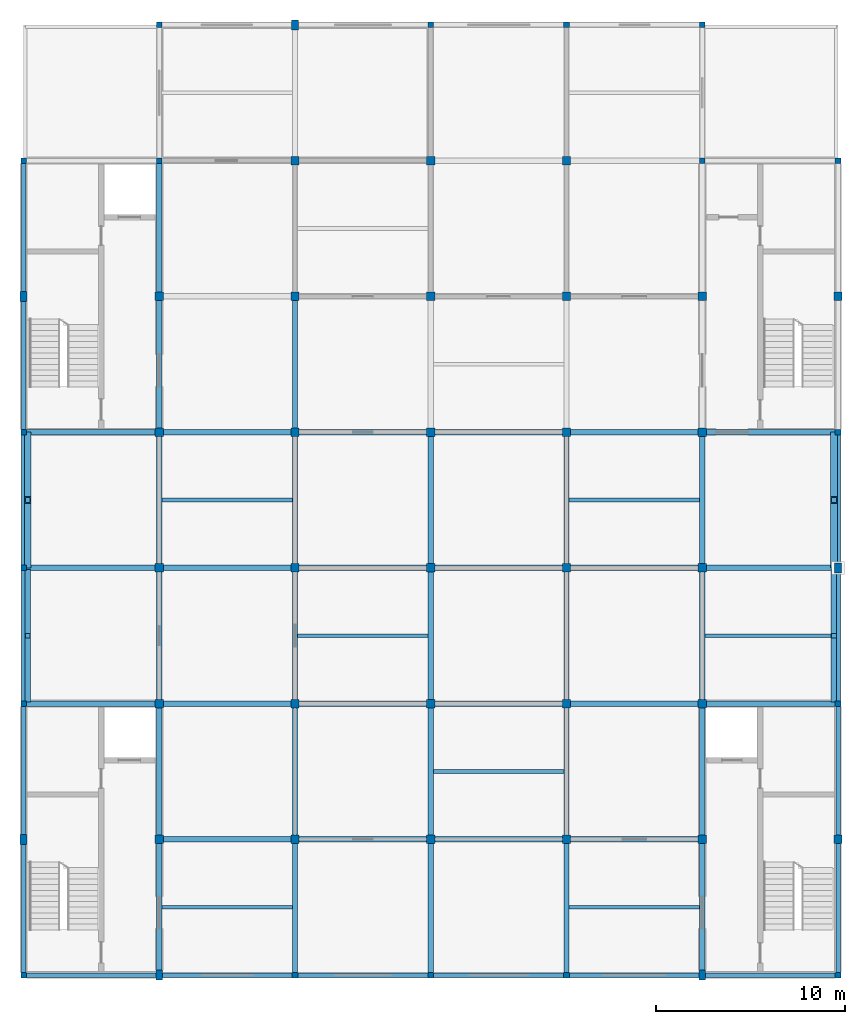
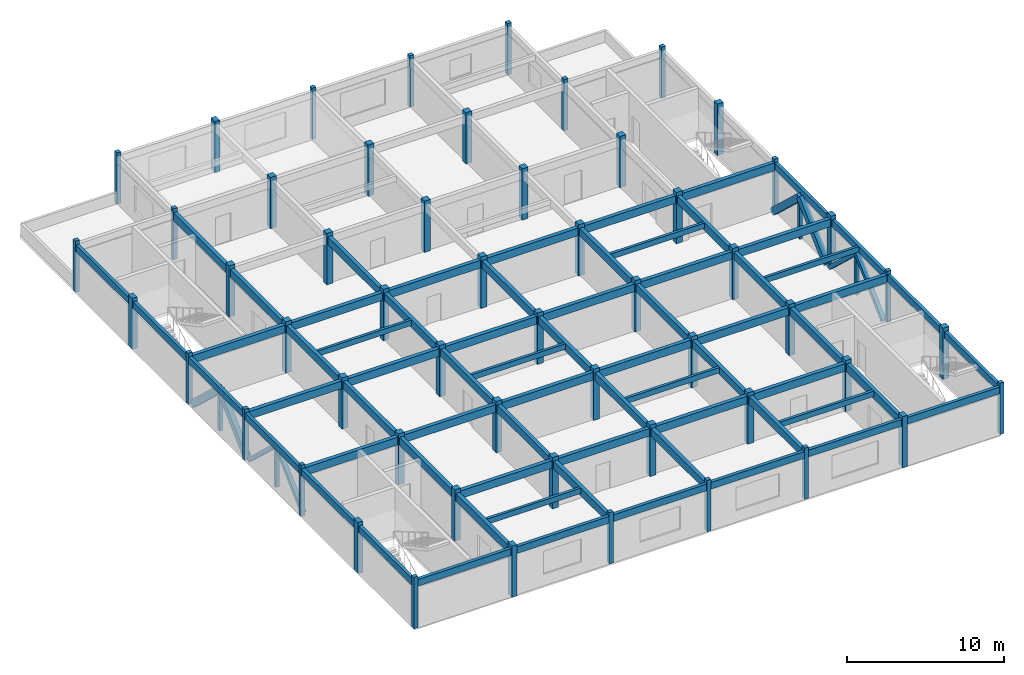
# One storey, part 1 of 6: 68 beams, 54 columns, 12 members.
"""IFC4 building model written with IfcOpenShell, lengths in metres."""

from ifc_helpers import new_model, si_unit, direction, frame, origin, origin_2d, place, context, subcontext, project, spatial, rectangle, extrude, material, material_profile, profile_set, type_object, element, save


model = new_model("IFC4")

# Units and contexts
model_context = context("Model", 3, precision=1e-05, world=origin(), true_north=direction((0.0, 1.0)))
body_context = subcontext(model_context, "Body", "Model", "MODEL_VIEW")
ifc_project = project(units=[si_unit("LENGTHUNIT", "METRE"), si_unit("AREAUNIT", "SQUARE_METRE"), si_unit("VOLUMEUNIT", "CUBIC_METRE"), si_unit("PLANEANGLEUNIT", "RADIAN"), si_unit("MASSUNIT", "GRAM", prefix="KILO")], contexts=[model_context])

# Site, building, storey
site_placement = place(None, origin())
site = spatial("IfcSite", under=ifc_project, at=site_placement, CompositionType="ELEMENT")
building_placement = place(site_placement, origin())
building = spatial("IfcBuilding", under=site, at=building_placement, Name="Cendaluz Park School", CompositionType="ELEMENT")
storey_placement = place(building_placement, frame((0.0, 0.0, 59.0)))
storey = spatial("IfcBuildingStorey", under=building, at=storey_placement, Name="L14", CompositionType="ELEMENT", Elevation=59.0)

# Columns
ifc_material_1 = material(Name="Glulam GL32h", Category="wood")
ifc_material_profile_1 = material_profile(ifc_material_1, rectangle(XDim=0.43994140625, YDim=0.43994140625, at=origin_2d()), Name="GL32h 440x440", Category="wood")
ifc_profile_set_1 = profile_set([ifc_material_profile_1], Name="Glulam GL32h")
column_type_1 = type_object("IfcColumnType", Name="C-GL03", PredefinedType="COLUMN", material=ifc_profile_set_1)
for number, where, z_axis, x_axis, name in (
    (1, (72.0, 21.60009765625, 0.0), (0.0, 0.0, 1.0), (1.0, 0.0, 0.0), "C-L14-CGL03-009"),
    (2, (72.0, 28.800048828125, 0.0), (0.0, 0.0, 1.0), (1.0, 0.0, 0.0), "C-L14-CGL03-010"),
    (3, (72.0, 36.0, 0.0), (0.0, 0.0, 1.0), (1.0, 0.0, 0.0), "C-L14-CGL03-011"),
    (4, (72.0, 43.199951171875, 0.0), (0.0, 0.0, 1.0), (1.0, 0.0, 0.0), "C-L14-CGL03-012"),
    (5, (72.0, 50.39990234375, 0.0), (0.0, 0.0, 1.0), (1.0, 0.0, 0.0), "C-L14-CGL03-013"),
    (6, (79.199951171875, 21.60009765625, 0.0), (0.0, 0.0, 1.0), (1.0, 0.0, 0.0), "C-L14-CGL03-017"),
    (7, (79.199951171875, 28.800048828125, 0.0), (0.0, 0.0, 1.0), (1.0, 0.0, 0.0), "C-L14-CGL03-018"),
    (8, (79.199951171875, 36.0, 0.0), (0.0, 0.0, 1.0), (1.0, 0.0, 0.0), "C-L14-CGL03-019"),
    (9, (79.199951171875, 43.199951171875, 0.0), (0.0, 0.0, 1.0), (1.0, 0.0, 0.0), "C-L14-CGL03-020"),
    (10, (79.199951171875, 50.39990234375, 0.0), (0.0, 0.0, 1.0), (1.0, 0.0, 0.0), "C-L14-CGL03-021"),
    (11, (79.199951171875, 57.60009765625, 0.0), (0.0, 0.0, 1.0), (1.0, 0.0, 0.0), "C-L14-CGL03-022"),
    (12, (86.39990234375, 21.60009765625, 0.0), (0.0, 0.0, 1.0), (1.0, 0.0, 0.0), "C-L14-CGL03-025"),
    (13, (86.39990234375, 28.800048828125, 0.0), (0.0, 0.0, 1.0), (1.0, 0.0, 0.0), "C-L14-CGL03-026"),
    (14, (86.39990234375, 36.0, 0.0), (0.0, 0.0, 1.0), (1.0, 0.0, 0.0), "C-L14-CGL03-027"),
    (15, (86.39990234375, 43.199951171875, 0.0), (0.0, 0.0, 1.0), (1.0, 0.0, 0.0), "C-L14-CGL03-028"),
    (16, (86.39990234375, 50.39990234375, 0.0), (0.0, 0.0, 1.0), (1.0, 0.0, 0.0), "C-L14-CGL03-029"),
    (17, (86.39990234375, 57.60009765625, 0.0), (0.0, 0.0, 1.0), (1.0, 0.0, 0.0), "C-L14-CGL03-030"),
    (18, (93.60009765625, 21.60009765625, 0.0), (0.0, 0.0, 1.0), (1.0, 0.0, 0.0), "C-L14-CGL03-033"),
    (19, (93.60009765625, 28.800048828125, 0.0), (0.0, 0.0, 1.0), (1.0, 0.0, 0.0), "C-L14-CGL03-034"),
    (20, (93.60009765625, 36.0, 0.0), (0.0, 0.0, 1.0), (1.0, 0.0, 0.0), "C-L14-CGL03-035"),
    (21, (93.60009765625, 43.199951171875, 0.0), (0.0, 0.0, 1.0), (1.0, 0.0, 0.0), "C-L14-CGL03-036"),
    (22, (93.60009765625, 50.39990234375, 0.0), (0.0, 0.0, 1.0), (1.0, 0.0, 0.0), "C-L14-CGL03-037"),
    (23, (93.60009765625, 57.60009765625, 0.0), (0.0, 0.0, 1.0), (1.0, 0.0, 0.0), "C-L14-CGL03-038"),
    (24, (100.800048828125, 21.60009765625, 0.0), (0.0, 0.0, 1.0), (1.0, 0.0, 0.0), "C-L14-CGL03-041"),
    (25, (100.800048828125, 28.800048828125, 0.0), (0.0, 0.0, 1.0), (1.0, 0.0, 0.0), "C-L14-CGL03-042"),
    (26, (100.800048828125, 36.0, 0.0), (0.0, 0.0, 1.0), (1.0, 0.0, 0.0), "C-L14-CGL03-043"),
    (27, (100.800048828125, 43.199951171875, 0.0), (0.0, 0.0, 1.0), (1.0, 0.0, 0.0), "C-L14-CGL03-044"),
    (28, (100.800048828125, 50.39990234375, 0.0), (0.0, 0.0, 1.0), (1.0, 0.0, 0.0), "C-L14-CGL03-045"),
    (29, (108.0, 21.60009765625, 0.0), (0.0, 0.0, 1.0), (1.0, 0.0, 0.0), "C-L14-CGL03-049"),
    (30, (108.0, 50.39990234375, 0.0), (0.0, 0.0, 1.0), (1.0, 0.0, 0.0), "C-L14-CGL03-053"),
):
    element("IfcColumn", number, at=place(storey_placement, frame(where, z_axis=z_axis, x_axis=x_axis)), inside=storey, type_object=column_type_1, Name=name, PredefinedType="COLUMN", context=body_context, shape_type="SweptSolid", body=[
        extrude(rectangle(XDim=0.43994140625, YDim=0.43994140625, at=origin_2d()), origin(), (0.0, 0.0, 1.0), 4.0),
    ])
ifc_material_profile_2 = material_profile(ifc_material_1, rectangle(XDim=0.300048828125, YDim=0.300048828125, at=origin_2d()), Name="GL32h 300x300", Category="wood")
ifc_profile_set_2 = profile_set([ifc_material_profile_2], Name="Glulam GL32h")
column_type_2 = type_object("IfcColumnType", Name="C-GL04", PredefinedType="COLUMN", material=ifc_profile_set_2)
for number, where, z_axis, x_axis, name in (
    (31, (64.800048828125, 14.39990234375, 0.0), (0.0, 0.0, 1.0), (1.0, 0.0, 0.0), "C-L14-CGL04-001"),
    (32, (64.800048828125, 28.800048828125, 0.0), (0.0, 0.0, 1.0), (1.0, 0.0, 0.0), "C-L14-CGL04-003"),
    (33, (64.800048828125, 36.0, 0.0), (0.0, 0.0, 1.0), (1.0, 0.0, 0.0), "C-L14-CGL04-004"),
    (34, (64.800048828125, 43.199951171875, 0.0), (0.0, 0.0, 1.0), (1.0, 0.0, 0.0), "C-L14-CGL04-005"),
    (35, (64.800048828125, 57.60009765625, 0.0), (0.0, 0.0, 1.0), (1.0, 0.0, 0.0), "C-L14-CGL04-007"),
    (36, (72.0, 57.60009765625, 0.0), (0.0, 0.0, 1.0), (1.0, 0.0, 0.0), "C-L14-CGL04-014"),
    (37, (72.0, 64.800048828125, 0.0), (0.0, 0.0, 1.0), (1.0, 0.0, 0.0), "C-L14-CGL04-015"),
    (38, (79.199951171875, 14.39990234375, 0.0), (0.0, 0.0, 1.0), (1.0, 0.0, 0.0), "C-L14-CGL04-016"),
    (39, (86.39990234375, 14.39990234375, 0.0), (0.0, 0.0, 1.0), (1.0, 0.0, 0.0), "C-L14-CGL04-024"),
    (40, (86.39990234375, 64.800048828125, 0.0), (0.0, 0.0, 1.0), (1.0, 0.0, 0.0), "C-L14-CGL04-031"),
    (41, (93.60009765625, 14.39990234375, 0.0), (0.0, 0.0, 1.0), (1.0, 0.0, 0.0), "C-L14-CGL04-032"),
    (42, (93.60009765625, 64.800048828125, 0.0), (0.0, 0.0, 1.0), (1.0, 0.0, 0.0), "C-L14-CGL04-039"),
    (43, (100.800048828125, 57.60009765625, 0.0), (0.0, 0.0, 1.0), (1.0, 0.0, 0.0), "C-L14-CGL04-046"),
    (44, (100.800048828125, 64.800048828125, 0.0), (0.0, 0.0, 1.0), (1.0, 0.0, 0.0), "C-L14-CGL04-047"),
    (45, (108.0, 14.39990234375, 0.0), (0.0, 0.0, 1.0), (1.0, 0.0, 0.0), "C-L14-CGL04-048"),
    (46, (108.0, 28.800048828125, 0.0), (0.0, 0.0, 1.0), (1.0, 0.0, 0.0), "C-L14-CGL04-050"),
    (47, (108.0, 43.199951171875, 0.0), (0.0, 0.0, 1.0), (1.0, 0.0, 0.0), "C-L14-CGL04-052"),
    (48, (108.0, 57.60009765625, 0.0), (0.0, 0.0, 1.0), (1.0, 0.0, 0.0), "C-L14-CGL04-054"),
):
    element("IfcColumn", number, at=place(storey_placement, frame(where, z_axis=z_axis, x_axis=x_axis)), inside=storey, type_object=column_type_2, Name=name, PredefinedType="COLUMN", context=body_context, shape_type="SweptSolid", body=[
        extrude(rectangle(XDim=0.300048828125, YDim=0.300048828125, at=origin_2d()), origin(), (0.0, 0.0, 1.0), 4.0),
    ])
ifc_material_profile_3 = material_profile(ifc_material_1, rectangle(XDim=0.360107421875, YDim=0.52001953125, at=origin_2d()), Name="GL32h 360x520", Category="wood")
ifc_profile_set_3 = profile_set([ifc_material_profile_3], Name="Glulam GL32h")
column_type_3 = type_object("IfcColumnType", Name="C-PL02", PredefinedType="PILASTER", material=ifc_profile_set_3)
for number, where, z_axis, x_axis, name in (
    (49, (64.800048828125, 21.60009765625, 0.0), (0.0, 0.0, 1.0), (1.0, 0.0, 0.0), "C-L14-CPL02-002"),
    (50, (64.800048828125, 50.39990234375, 0.0), (0.0, 0.0, 1.0), (1.0, 0.0, 0.0), "C-L14-CPL02-006"),
    (51, (72.0, 14.39990234375, 0.0), (0.0, 0.0, 1.0), (1.0, 0.0, 0.0), "C-L14-CPL02-008"),
    (52, (79.199951171875, 64.800048828125, 0.0), (0.0, 0.0, 1.0), (1.0, 0.0, 0.0), "C-L14-CPL02-023"),
    (53, (100.800048828125, 14.39990234375, 0.0), (0.0, 0.0, 1.0), (1.0, 0.0, 0.0), "C-L14-CPL02-040"),
    (54, (108.0, 36.0, 0.0), (0.0, 0.0, 1.0), (1.0, 0.0, 0.0), "C-L14-CPL02-051"),
):
    element("IfcColumn", number, at=place(storey_placement, frame(where, z_axis=z_axis, x_axis=x_axis)), inside=storey, type_object=column_type_3, Name=name, PredefinedType="PILASTER", context=body_context, shape_type="SweptSolid", body=[
        extrude(rectangle(XDim=0.360107421875, YDim=0.52001953125, at=origin_2d()), origin(), (0.0, 0.0, 1.0), 4.0),
    ])

# Beams
ifc_material_2 = material(Name="Glulam GL28h", Category="wood")
ifc_material_profile_4 = material_profile(ifc_material_2, rectangle(XDim=0.280029296875, YDim=0.60009765625, at=origin_2d()), Name="GL28h 280x600", Category="wood")
ifc_profile_set_4 = profile_set([ifc_material_profile_4], Name="Glulam GL28h")
beam_type_1 = type_object("IfcBeamType", Name="BM-GL02", PredefinedType="BEAM", material=ifc_profile_set_4)
for number, where, z_axis, x_axis, name in (
    (55, (64.949951171875, 28.800048828125, 3.409912109375), (1.0, 0.0, 0.0), (0.0, 1.0, 0.0), "BM-L14-BMGL02-0002"),
    (56, (64.949951171875, 36.0, 3.409912109375), (1.0, 0.0, 0.0), (0.0, 1.0, 0.0), "BM-L14-BMGL02-0003"),
    (57, (64.949951171875, 43.199951171875, 3.409912109375), (1.0, 0.0, 0.0), (0.0, 1.0, 0.0), "BM-L14-BMGL02-0004"),
):
    element("IfcBeam", number, at=place(storey_placement, frame(where, z_axis=z_axis, x_axis=x_axis)), inside=storey, type_object=beam_type_1, Name=name, PredefinedType="BEAM", context=body_context, shape_type="SweptSolid", body=[
        extrude(rectangle(XDim=0.280029296875, YDim=0.60009765625, at=origin_2d()), origin(), (0.0, 0.0, 1.0), 6.830078125),
    ])
for number, where, z_axis, x_axis, name in (
    (58, (72.219970703125, 21.60009765625, 3.409912109375), (1.0, 0.0, 0.0), (0.0, 1.0, 0.0), "BM-L14-BMGL02-0007"),
    (59, (72.219970703125, 28.800048828125, 3.409912109375), (1.0, 0.0, 0.0), (0.0, 1.0, 0.0), "BM-L14-BMGL02-0008"),
    (60, (72.219970703125, 36.0, 3.409912109375), (1.0, 0.0, 0.0), (0.0, 1.0, 0.0), "BM-L14-BMGL02-0009"),
    (61, (72.219970703125, 43.199951171875, 3.409912109375), (1.0, 0.0, 0.0), (0.0, 1.0, 0.0), "BM-L14-BMGL02-0010"),
    (62, (79.419921875, 21.60009765625, 3.409912109375), (1.0, 0.0, 0.0), (0.0, 1.0, 0.0), "BM-L14-BMGL02-0015"),
    (63, (79.419921875, 28.800048828125, 3.409912109375), (1.0, 0.0, 0.0), (0.0, 1.0, 0.0), "BM-L14-BMGL02-0016"),
    (64, (79.419921875, 36.0, 3.409912109375), (1.0, 0.0, 0.0), (0.0, 1.0, 0.0), "BM-L14-BMGL02-0017"),
    (65, (79.419921875, 43.199951171875, 3.409912109375), (1.0, 0.0, 0.0), (0.0, 1.0, 0.0), "BM-L14-BMGL02-0018"),
):
    element("IfcBeam", number, at=place(storey_placement, frame(where, z_axis=z_axis, x_axis=x_axis)), inside=storey, type_object=beam_type_1, Name=name, PredefinedType="BEAM", context=body_context, shape_type="SweptSolid", body=[
        extrude(rectangle(XDim=0.280029296875, YDim=0.60009765625, at=origin_2d()), origin(), (0.0, 0.0, 1.0), 6.760009765625),
    ])
for number, where, z_axis, x_axis, name in (
    (66, (86.6201171875, 21.60009765625, 3.409912109375), (1.0, 0.0, 0.0), (0.0, 1.0, 0.0), "BM-L14-BMGL02-0023"),
    (67, (86.6201171875, 28.800048828125, 3.409912109375), (1.0, 0.0, 0.0), (0.0, 1.0, 0.0), "BM-L14-BMGL02-0024"),
    (68, (86.6201171875, 36.0, 3.409912109375), (1.0, 0.0, 0.0), (0.0, 1.0, 0.0), "BM-L14-BMGL02-0025"),
    (69, (86.6201171875, 43.199951171875, 3.409912109375), (1.0, 0.0, 0.0), (0.0, 1.0, 0.0), "BM-L14-BMGL02-0026"),
):
    element("IfcBeam", number, at=place(storey_placement, frame(where, z_axis=z_axis, x_axis=x_axis)), inside=storey, type_object=beam_type_1, Name=name, PredefinedType="BEAM", context=body_context, shape_type="SweptSolid", body=[
        extrude(rectangle(XDim=0.280029296875, YDim=0.60009765625, at=origin_2d()), origin(), (0.0, 0.0, 1.0), 6.759765625),
    ])
for number, where, z_axis, x_axis, name in (
    (70, (93.820068359375, 21.60009765625, 3.409912109375), (1.0, 0.0, 0.0), (0.0, 1.0, 0.0), "BM-L14-BMGL02-0031"),
    (71, (93.820068359375, 28.800048828125, 3.409912109375), (1.0, 0.0, 0.0), (0.0, 1.0, 0.0), "BM-L14-BMGL02-0032"),
    (72, (93.820068359375, 36.0, 3.409912109375), (1.0, 0.0, 0.0), (0.0, 1.0, 0.0), "BM-L14-BMGL02-0033"),
    (73, (93.820068359375, 43.199951171875, 3.409912109375), (1.0, 0.0, 0.0), (0.0, 1.0, 0.0), "BM-L14-BMGL02-0034"),
):
    element("IfcBeam", number, at=place(storey_placement, frame(where, z_axis=z_axis, x_axis=x_axis)), inside=storey, type_object=beam_type_1, Name=name, PredefinedType="BEAM", context=body_context, shape_type="SweptSolid", body=[
        extrude(rectangle(XDim=0.280029296875, YDim=0.60009765625, at=origin_2d()), origin(), (0.0, 0.0, 1.0), 6.760009765625),
    ])
beam_1_placement = place(storey_placement, frame((101.02001953125, 28.800048828125, 3.409912109375), z_axis=(1.0, 0.0, 0.0), x_axis=(0.0, 1.0, 0.0)))
element("IfcBeam", 74, at=beam_1_placement, inside=storey, type_object=beam_type_1, Name="BM-L14-BMGL02-0039", PredefinedType="BEAM", context=body_context, shape_type="SweptSolid", body=[
    extrude(rectangle(XDim=0.280029296875, YDim=0.60009765625, at=origin_2d()), origin(), (0.0, 0.0, 1.0), 6.830078125),
])
beam_2_placement = place(storey_placement, frame((101.02001953125, 36.0, 3.409912109375), z_axis=(1.0, 0.0, 0.0), x_axis=(0.0, 1.0, 0.0)))
element("IfcBeam", 75, at=beam_2_placement, inside=storey, type_object=beam_type_1, Name="BM-L14-BMGL02-0040", PredefinedType="BEAM", context=body_context, shape_type="SweptSolid", body=[
    extrude(rectangle(XDim=0.280029296875, YDim=0.60009765625, at=origin_2d()), origin(), (0.0, 0.0, 1.0), 6.800048828125),
])
beam_3_placement = place(storey_placement, frame((101.02001953125, 43.199951171875, 3.409912109375), z_axis=(1.0, 0.0, 0.0), x_axis=(0.0, 1.0, 0.0)))
element("IfcBeam", 76, at=beam_3_placement, inside=storey, type_object=beam_type_1, Name="BM-L14-BMGL02-0041", PredefinedType="BEAM", context=body_context, shape_type="SweptSolid", body=[
    extrude(rectangle(XDim=0.280029296875, YDim=0.60009765625, at=origin_2d()), origin(), (0.0, 0.0, 1.0), 6.830078125),
])
beam_4_placement = place(storey_placement, frame((72.0, 14.659912109375, 3.409912109375), z_axis=(0.0, 1.0, 0.0), x_axis=(-1.0, 0.0, 0.0)))
element("IfcBeam", 77, at=beam_4_placement, inside=storey, type_object=beam_type_1, Name="BM-L14-BMGL02-0049", PredefinedType="BEAM", context=body_context, shape_type="SweptSolid", body=[
    extrude(rectangle(XDim=0.280029296875, YDim=0.60009765625, at=origin_2d()), origin(), (0.0, 0.0, 1.0), 6.719970703125),
])
for number, where, z_axis, x_axis, name in (
    (78, (72.0, 21.820068359375, 3.409912109375), (0.0, 1.0, 0.0), (-1.0, 0.0, 0.0), "BM-L14-BMGL02-0050"),
    (79, (72.0, 29.02001953125, 3.409912109375), (0.0, 1.0, 0.0), (-1.0, 0.0, 0.0), "BM-L14-BMGL02-0051"),
    (80, (72.0, 36.219970703125, 3.409912109375), (0.0, 1.0, 0.0), (-1.0, 0.0, 0.0), "BM-L14-BMGL02-0052"),
    (81, (72.0, 43.419921875, 3.409912109375), (0.0, 1.0, 0.0), (-1.0, 0.0, 0.0), "BM-L14-BMGL02-0053"),
):
    element("IfcBeam", number, at=place(storey_placement, frame(where, z_axis=z_axis, x_axis=x_axis)), inside=storey, type_object=beam_type_1, Name=name, PredefinedType="BEAM", context=body_context, shape_type="SweptSolid", body=[
        extrude(rectangle(XDim=0.280029296875, YDim=0.60009765625, at=origin_2d()), origin(), (0.0, 0.0, 1.0), 6.760009765625),
    ])
for number, where, z_axis, x_axis, name in (
    (82, (72.0, 50.6201171875, 3.409912109375), (0.0, 1.0, 0.0), (-1.0, 0.0, 0.0), "BM-L14-BMGL02-0054"),
    (83, (79.199951171875, 14.550048828125, 3.409912109375), (0.0, 1.0, 0.0), (-1.0, 0.0, 0.0), "BM-L14-BMGL02-0056"),
):
    element("IfcBeam", number, at=place(storey_placement, frame(where, z_axis=z_axis, x_axis=x_axis)), inside=storey, type_object=beam_type_1, Name=name, PredefinedType="BEAM", context=body_context, shape_type="SweptSolid", body=[
        extrude(rectangle(XDim=0.280029296875, YDim=0.60009765625, at=origin_2d()), origin(), (0.0, 0.0, 1.0), 6.829833984375),
    ])
for number, where, z_axis, x_axis, name in (
    (84, (79.199951171875, 21.820068359375, 3.409912109375), (0.0, 1.0, 0.0), (-1.0, 0.0, 0.0), "BM-L14-BMGL02-0057"),
    (85, (79.199951171875, 29.02001953125, 3.409912109375), (0.0, 1.0, 0.0), (-1.0, 0.0, 0.0), "BM-L14-BMGL02-0058"),
    (86, (79.199951171875, 36.219970703125, 3.409912109375), (0.0, 1.0, 0.0), (-1.0, 0.0, 0.0), "BM-L14-BMGL02-0059"),
    (87, (79.199951171875, 43.419921875, 3.409912109375), (0.0, 1.0, 0.0), (-1.0, 0.0, 0.0), "BM-L14-BMGL02-0060"),
):
    element("IfcBeam", number, at=place(storey_placement, frame(where, z_axis=z_axis, x_axis=x_axis)), inside=storey, type_object=beam_type_1, Name=name, PredefinedType="BEAM", context=body_context, shape_type="SweptSolid", body=[
        extrude(rectangle(XDim=0.280029296875, YDim=0.60009765625, at=origin_2d()), origin(), (0.0, 0.0, 1.0), 6.760009765625),
    ])
beam_5_placement = place(storey_placement, frame((86.39990234375, 14.550048828125, 3.409912109375), z_axis=(0.0, 1.0, 0.0), x_axis=(-1.0, 0.0, 0.0)))
element("IfcBeam", 88, at=beam_5_placement, inside=storey, type_object=beam_type_1, Name="BM-L14-BMGL02-0063", PredefinedType="BEAM", context=body_context, shape_type="SweptSolid", body=[
    extrude(rectangle(XDim=0.280029296875, YDim=0.60009765625, at=origin_2d()), origin(), (0.0, 0.0, 1.0), 6.829833984375),
])
for number, where, z_axis, x_axis, name in (
    (89, (86.39990234375, 21.820068359375, 3.409912109375), (0.0, 1.0, 0.0), (-1.0, 0.0, 0.0), "BM-L14-BMGL02-0064"),
    (90, (86.39990234375, 29.02001953125, 3.409912109375), (0.0, 1.0, 0.0), (-1.0, 0.0, 0.0), "BM-L14-BMGL02-0065"),
    (91, (86.39990234375, 36.219970703125, 3.409912109375), (0.0, 1.0, 0.0), (-1.0, 0.0, 0.0), "BM-L14-BMGL02-0066"),
):
    element("IfcBeam", number, at=place(storey_placement, frame(where, z_axis=z_axis, x_axis=x_axis)), inside=storey, type_object=beam_type_1, Name=name, PredefinedType="BEAM", context=body_context, shape_type="SweptSolid", body=[
        extrude(rectangle(XDim=0.280029296875, YDim=0.60009765625, at=origin_2d()), origin(), (0.0, 0.0, 1.0), 6.760009765625),
    ])
beam_6_placement = place(storey_placement, frame((93.60009765625, 14.550048828125, 3.409912109375), z_axis=(0.0, 1.0, 0.0), x_axis=(-1.0, 0.0, 0.0)))
element("IfcBeam", 92, at=beam_6_placement, inside=storey, type_object=beam_type_1, Name="BM-L14-BMGL02-0070", PredefinedType="BEAM", context=body_context, shape_type="SweptSolid", body=[
    extrude(rectangle(XDim=0.280029296875, YDim=0.60009765625, at=origin_2d()), origin(), (0.0, 0.0, 1.0), 6.829833984375),
])
for number, where, z_axis, x_axis, name in (
    (93, (93.60009765625, 21.820068359375, 3.409912109375), (0.0, 1.0, 0.0), (-1.0, 0.0, 0.0), "BM-L14-BMGL02-0071"),
    (94, (93.60009765625, 29.02001953125, 3.409912109375), (0.0, 1.0, 0.0), (-1.0, 0.0, 0.0), "BM-L14-BMGL02-0072"),
    (95, (93.60009765625, 36.219970703125, 3.409912109375), (0.0, 1.0, 0.0), (-1.0, 0.0, 0.0), "BM-L14-BMGL02-0073"),
):
    element("IfcBeam", number, at=place(storey_placement, frame(where, z_axis=z_axis, x_axis=x_axis)), inside=storey, type_object=beam_type_1, Name=name, PredefinedType="BEAM", context=body_context, shape_type="SweptSolid", body=[
        extrude(rectangle(XDim=0.280029296875, YDim=0.60009765625, at=origin_2d()), origin(), (0.0, 0.0, 1.0), 6.760009765625),
    ])
beam_7_placement = place(storey_placement, frame((100.800048828125, 14.659912109375, 3.409912109375), z_axis=(0.0, 1.0, 0.0), x_axis=(-1.0, 0.0, 0.0)))
element("IfcBeam", 96, at=beam_7_placement, inside=storey, type_object=beam_type_1, Name="BM-L14-BMGL02-0077", PredefinedType="BEAM", context=body_context, shape_type="SweptSolid", body=[
    extrude(rectangle(XDim=0.280029296875, YDim=0.60009765625, at=origin_2d()), origin(), (0.0, 0.0, 1.0), 6.719970703125),
])
for number, where, z_axis, x_axis, name in (
    (97, (100.800048828125, 21.820068359375, 3.409912109375), (0.0, 1.0, 0.0), (-1.0, 0.0, 0.0), "BM-L14-BMGL02-0078"),
    (98, (100.800048828125, 29.02001953125, 3.409912109375), (0.0, 1.0, 0.0), (-1.0, 0.0, 0.0), "BM-L14-BMGL02-0079"),
    (99, (100.800048828125, 36.219970703125, 3.409912109375), (0.0, 1.0, 0.0), (-1.0, 0.0, 0.0), "BM-L14-BMGL02-0080"),
):
    element("IfcBeam", number, at=place(storey_placement, frame(where, z_axis=z_axis, x_axis=x_axis)), inside=storey, type_object=beam_type_1, Name=name, PredefinedType="BEAM", context=body_context, shape_type="SweptSolid", body=[
        extrude(rectangle(XDim=0.280029296875, YDim=0.60009765625, at=origin_2d()), origin(), (0.0, 0.0, 1.0), 6.760009765625),
    ])
ifc_material_profile_5 = material_profile(ifc_material_2, rectangle(XDim=0.239990234375, YDim=0.52001953125, at=origin_2d()), Name="GL28h 240x520", Category="wood")
ifc_profile_set_5 = profile_set([ifc_material_profile_5], Name="Glulam GL28h")
beam_type_2 = type_object("IfcBeamType", Name="BM-GL03", PredefinedType="SPANDREL", material=ifc_profile_set_5)
for number, where, z_axis, x_axis, name in (
    (100, (64.949951171875, 14.39990234375, 3.449951171875), (1.0, 0.0, 0.0), (0.0, 1.0, 0.0), "BM-L14-BMGL03-0001"),
    (101, (72.179931640625, 14.39990234375, 3.449951171875), (1.0, 0.0, 0.0), (0.0, 1.0, 0.0), "BM-L14-BMGL03-0006"),
):
    element("IfcBeam", number, at=place(storey_placement, frame(where, z_axis=z_axis, x_axis=x_axis)), inside=storey, type_object=beam_type_2, Name=name, PredefinedType="SPANDREL", context=body_context, shape_type="SweptSolid", body=[
        extrude(rectangle(XDim=0.239990234375, YDim=0.52001953125, at=origin_2d()), origin(), (0.0, 0.0, 1.0), 6.8701171875),
    ])
for number, where, z_axis, x_axis, name in (
    (102, (79.35009765625, 14.39990234375, 3.449951171875), (1.0, 0.0, 0.0), (0.0, 1.0, 0.0), "BM-L14-BMGL03-0014"),
    (103, (86.550048828125, 14.39990234375, 3.449951171875), (1.0, 0.0, 0.0), (0.0, 1.0, 0.0), "BM-L14-BMGL03-0022"),
):
    element("IfcBeam", number, at=place(storey_placement, frame(where, z_axis=z_axis, x_axis=x_axis)), inside=storey, type_object=beam_type_2, Name=name, PredefinedType="SPANDREL", context=body_context, shape_type="SweptSolid", body=[
        extrude(rectangle(XDim=0.239990234375, YDim=0.52001953125, at=origin_2d()), origin(), (0.0, 0.0, 1.0), 6.89990234375),
    ])
for number, where, z_axis, x_axis, name in (
    (104, (93.75, 14.39990234375, 3.449951171875), (1.0, 0.0, 0.0), (0.0, 1.0, 0.0), "BM-L14-BMGL03-0030"),
    (105, (100.97998046875, 14.39990234375, 3.449951171875), (1.0, 0.0, 0.0), (0.0, 1.0, 0.0), "BM-L14-BMGL03-0038"),
):
    element("IfcBeam", number, at=place(storey_placement, frame(where, z_axis=z_axis, x_axis=x_axis)), inside=storey, type_object=beam_type_2, Name=name, PredefinedType="SPANDREL", context=body_context, shape_type="SweptSolid", body=[
        extrude(rectangle(XDim=0.239990234375, YDim=0.52001953125, at=origin_2d()), origin(), (0.0, 0.0, 1.0), 6.8701171875),
    ])
beam_8_placement = place(storey_placement, frame((64.800048828125, 14.550048828125, 3.449951171875), z_axis=(0.0, 1.0, 0.0), x_axis=(-1.0, 0.0, 0.0)))
element("IfcBeam", 106, at=beam_8_placement, inside=storey, type_object=beam_type_2, Name="BM-L14-BMGL03-0043", PredefinedType="SPANDREL", context=body_context, shape_type="SweptSolid", body=[
    extrude(rectangle(XDim=0.239990234375, YDim=0.52001953125, at=origin_2d()), origin(), (0.0, 0.0, 1.0), 6.7900390625),
])
beam_9_placement = place(storey_placement, frame((64.800048828125, 21.860107421875, 3.449951171875), z_axis=(0.0, 1.0, 0.0), x_axis=(-1.0, 0.0, 0.0)))
element("IfcBeam", 107, at=beam_9_placement, inside=storey, type_object=beam_type_2, Name="BM-L14-BMGL03-0044", PredefinedType="SPANDREL", context=body_context, shape_type="SweptSolid", body=[
    extrude(rectangle(XDim=0.239990234375, YDim=0.52001953125, at=origin_2d()), origin(), (0.0, 0.0, 1.0), 6.789794921875),
])
for number, where, z_axis, x_axis, name in (
    (108, (64.800048828125, 28.949951171875, 3.449951171875), (0.0, 1.0, 0.0), (-1.0, 0.0, 0.0), "BM-L14-BMGL03-0045"),
    (109, (64.800048828125, 36.14990234375, 3.449951171875), (0.0, 1.0, 0.0), (-1.0, 0.0, 0.0), "BM-L14-BMGL03-0046"),
):
    element("IfcBeam", number, at=place(storey_placement, frame(where, z_axis=z_axis, x_axis=x_axis)), inside=storey, type_object=beam_type_2, Name=name, PredefinedType="SPANDREL", context=body_context, shape_type="SweptSolid", body=[
        extrude(rectangle(XDim=0.239990234375, YDim=0.52001953125, at=origin_2d()), origin(), (0.0, 0.0, 1.0), 6.900146484375),
    ])
beam_10_placement = place(storey_placement, frame((64.800048828125, 43.35009765625, 3.449951171875), z_axis=(0.0, 1.0, 0.0), x_axis=(-1.0, 0.0, 0.0)))
element("IfcBeam", 110, at=beam_10_placement, inside=storey, type_object=beam_type_2, Name="BM-L14-BMGL03-0047", PredefinedType="SPANDREL", context=body_context, shape_type="SweptSolid", body=[
    extrude(rectangle(XDim=0.239990234375, YDim=0.52001953125, at=origin_2d()), origin(), (0.0, 0.0, 1.0), 6.789794921875),
])
beam_11_placement = place(storey_placement, frame((64.800048828125, 50.659912109375, 3.449951171875), z_axis=(0.0, 1.0, 0.0), x_axis=(-1.0, 0.0, 0.0)))
element("IfcBeam", 111, at=beam_11_placement, inside=storey, type_object=beam_type_2, Name="BM-L14-BMGL03-0048", PredefinedType="SPANDREL", context=body_context, shape_type="SweptSolid", body=[
    extrude(rectangle(XDim=0.239990234375, YDim=0.52001953125, at=origin_2d()), origin(), (0.0, 0.0, 1.0), 6.7900390625),
])
for number, where, z_axis, x_axis, name in (
    (112, (108.0, 14.550048828125, 3.449951171875), (0.0, 1.0, 0.0), (-1.0, 0.0, 0.0), "BM-L14-BMGL03-0084"),
    (113, (108.0, 21.820068359375, 3.449951171875), (0.0, 1.0, 0.0), (-1.0, 0.0, 0.0), "BM-L14-BMGL03-0085"),
):
    element("IfcBeam", number, at=place(storey_placement, frame(where, z_axis=z_axis, x_axis=x_axis)), inside=storey, type_object=beam_type_2, Name=name, PredefinedType="SPANDREL", context=body_context, shape_type="SweptSolid", body=[
        extrude(rectangle(XDim=0.239990234375, YDim=0.52001953125, at=origin_2d()), origin(), (0.0, 0.0, 1.0), 6.829833984375),
    ])
for number, where, z_axis, x_axis, name in (
    (114, (108.0, 28.949951171875, 3.449951171875), (0.0, 1.0, 0.0), (-1.0, 0.0, 0.0), "BM-L14-BMGL03-0086"),
    (115, (108.0, 36.260009765625, 3.449951171875), (0.0, 1.0, 0.0), (-1.0, 0.0, 0.0), "BM-L14-BMGL03-0087"),
):
    element("IfcBeam", number, at=place(storey_placement, frame(where, z_axis=z_axis, x_axis=x_axis)), inside=storey, type_object=beam_type_2, Name=name, PredefinedType="SPANDREL", context=body_context, shape_type="SweptSolid", body=[
        extrude(rectangle(XDim=0.239990234375, YDim=0.52001953125, at=origin_2d()), origin(), (0.0, 0.0, 1.0), 6.7900390625),
    ])
ifc_material_profile_6 = material_profile(ifc_material_2, rectangle(XDim=0.199951171875, YDim=0.419921875, at=origin_2d()), Name="GL28h 200x420", Category="wood")
ifc_profile_set_6 = profile_set([ifc_material_profile_6], Name="Glulam GL28h")
beam_type_3 = type_object("IfcBeamType", Name="JT-GL02", PredefinedType="JOIST", material=ifc_profile_set_6)
for number, where, z_axis, x_axis, name in (
    (116, (72.139892578125, 18.0, 3.5), (1.0, 0.0, 0.0), (0.0, 1.0, 0.0), "BM-L14-JTGL02-0090"),
    (117, (72.139892578125, 39.60009765625, 3.5), (1.0, 0.0, 0.0), (0.0, 1.0, 0.0), "BM-L14-JTGL02-0091"),
):
    element("IfcBeam", number, at=place(storey_placement, frame(where, z_axis=z_axis, x_axis=x_axis)), inside=storey, type_object=beam_type_3, Name=name, PredefinedType="JOIST", context=body_context, shape_type="SweptSolid", body=[
        extrude(rectangle(XDim=0.199951171875, YDim=0.419921875, at=origin_2d()), origin(), (0.0, 0.0, 1.0), 6.920166015625),
    ])
for number, where, z_axis, x_axis, name in (
    (118, (79.340087890625, 32.39990234375, 3.5), (1.0, 0.0, 0.0), (0.0, 1.0, 0.0), "BM-L14-JTGL02-0093"),
    (119, (86.5400390625, 25.199951171875, 3.5), (1.0, 0.0, 0.0), (0.0, 1.0, 0.0), "BM-L14-JTGL02-0095"),
    (120, (93.739990234375, 18.0, 3.5), (1.0, 0.0, 0.0), (0.0, 1.0, 0.0), "BM-L14-JTGL02-0097"),
    (121, (93.739990234375, 39.60009765625, 3.5), (1.0, 0.0, 0.0), (0.0, 1.0, 0.0), "BM-L14-JTGL02-0098"),
):
    element("IfcBeam", number, at=place(storey_placement, frame(where, z_axis=z_axis, x_axis=x_axis)), inside=storey, type_object=beam_type_3, Name=name, PredefinedType="JOIST", context=body_context, shape_type="SweptSolid", body=[
        extrude(rectangle(XDim=0.199951171875, YDim=0.419921875, at=origin_2d()), origin(), (0.0, 0.0, 1.0), 6.919921875),
    ])
beam_12_placement = place(storey_placement, frame((100.93994140625, 32.39990234375, 3.5), z_axis=(1.0, 0.0, 0.0), x_axis=(0.0, 1.0, 0.0)))
element("IfcBeam", 122, at=beam_12_placement, inside=storey, type_object=beam_type_3, Name="BM-L14-JTGL02-0100", PredefinedType="JOIST", context=body_context, shape_type="SweptSolid", body=[
    extrude(rectangle(XDim=0.199951171875, YDim=0.419921875, at=origin_2d()), origin(), (0.0, 0.0, 1.0), 6.93994140625),
])

# Members
ifc_material_profile_7 = material_profile(ifc_material_1, rectangle(XDim=0.300048828125, YDim=0.300048828125, at=origin_2d()), Name="GL32h 300x300", Category="wood")
ifc_profile_set_7 = profile_set([ifc_material_profile_7], Name="Glulam GL32h")
member_type_1 = type_object("IfcMemberType", Name="MBR-03", PredefinedType="BRACE", material=ifc_profile_set_7)
member_1_placement = place(storey_placement, frame((65.02001953125, 28.97998046875, 0.0), z_axis=(0.0, 0.729134518911, 0.684370406528), x_axis=(-1.0, 0.0, 0.0)))
element("IfcMember", 123, at=member_1_placement, inside=storey, type_object=member_type_1, Name="MB-L14-MBBR03-0001", PredefinedType="BRACE", context=body_context, shape_type="SweptSolid", body=[
    extrude(rectangle(XDim=0.300048828125, YDim=0.300048828125, at=origin_2d()), origin(), (0.0, 0.0, 1.0), 4.6904296875),
])
member_2_placement = place(storey_placement, frame((65.02001953125, 35.820068359375, 0.0), z_axis=(0.0, -0.729158896416, 0.684344433584), x_axis=(1.0, 0.0, 0.0)))
element("IfcMember", 124, at=member_2_placement, inside=storey, type_object=member_type_1, Name="MB-L14-MBBR03-0002", PredefinedType="BRACE", context=body_context, shape_type="SweptSolid", body=[
    extrude(rectangle(XDim=0.300048828125, YDim=0.300048828125, at=origin_2d()), origin(), (0.0, 0.0, 1.0), 4.690673828125),
])
member_3_placement = place(storey_placement, frame((107.780029296875, 28.97998046875, 0.0), z_axis=(0.0, 0.729134518911, 0.684370406528), x_axis=(-1.0, 0.0, 0.0)))
element("IfcMember", 125, at=member_3_placement, inside=storey, type_object=member_type_1, Name="MB-L14-MBBR03-0004", PredefinedType="BRACE", context=body_context, shape_type="SweptSolid", body=[
    extrude(rectangle(XDim=0.300048828125, YDim=0.300048828125, at=origin_2d()), origin(), (0.0, 0.0, 1.0), 4.6904296875),
])
member_4_placement = place(storey_placement, frame((107.780029296875, 35.820068359375, 0.0), z_axis=(0.0, -0.729158896416, 0.684344433584), x_axis=(1.0, 0.0, 0.0)))
element("IfcMember", 126, at=member_4_placement, inside=storey, type_object=member_type_1, Name="MB-L14-MBBR03-0005", PredefinedType="BRACE", context=body_context, shape_type="SweptSolid", body=[
    extrude(rectangle(XDim=0.300048828125, YDim=0.300048828125, at=origin_2d()), origin(), (0.0, 0.0, 1.0), 4.690673828125),
])
ifc_material_profile_8 = material_profile(ifc_material_1, rectangle(XDim=0.360107421875, YDim=0.52001953125, at=origin_2d()), Name="GL32h 360x520", Category="wood")
ifc_profile_set_8 = profile_set([ifc_material_profile_8], Name="Glulam GL32h")
member_type_2 = type_object("IfcMemberType", Name="MBR-04", PredefinedType="BRACE", material=ifc_profile_set_8)
member_5_placement = place(storey_placement, frame((65.02001953125, 36.179931640625, 0.0), z_axis=(0.0, 0.729158896416, 0.684344433584), x_axis=(-1.0, 0.0, 0.0)))
element("IfcMember", 127, at=member_5_placement, inside=storey, type_object=member_type_2, Name="MB-L14-MBBR04-0007", PredefinedType="BRACE", context=body_context, shape_type="SweptSolid", body=[
    extrude(rectangle(XDim=0.360107421875, YDim=0.52001953125, at=origin_2d()), origin(), (0.0, 0.0, 1.0), 4.690673828125),
])
member_6_placement = place(storey_placement, frame((65.02001953125, 43.02001953125, 0.0), z_axis=(0.0, -0.729134518911, 0.684370406528), x_axis=(1.0, 0.0, 0.0)))
element("IfcMember", 128, at=member_6_placement, inside=storey, type_object=member_type_2, Name="MB-L14-MBBR04-0008", PredefinedType="BRACE", context=body_context, shape_type="SweptSolid", body=[
    extrude(rectangle(XDim=0.360107421875, YDim=0.52001953125, at=origin_2d()), origin(), (0.0, 0.0, 1.0), 4.6904296875),
])
member_7_placement = place(storey_placement, frame((107.780029296875, 36.179931640625, 0.0), z_axis=(0.0, 0.729158896416, 0.684344433584), x_axis=(-1.0, 0.0, 0.0)))
element("IfcMember", 129, at=member_7_placement, inside=storey, type_object=member_type_2, Name="MB-L14-MBBR04-0010", PredefinedType="BRACE", context=body_context, shape_type="SweptSolid", body=[
    extrude(rectangle(XDim=0.360107421875, YDim=0.52001953125, at=origin_2d()), origin(), (0.0, 0.0, 1.0), 4.690673828125),
])
member_8_placement = place(storey_placement, frame((107.780029296875, 43.02001953125, 0.0), z_axis=(0.0, -0.729134518911, 0.684370406528), x_axis=(1.0, 0.0, 0.0)))
element("IfcMember", 130, at=member_8_placement, inside=storey, type_object=member_type_2, Name="MB-L14-MBBR04-0011", PredefinedType="BRACE", context=body_context, shape_type="SweptSolid", body=[
    extrude(rectangle(XDim=0.360107421875, YDim=0.52001953125, at=origin_2d()), origin(), (0.0, 0.0, 1.0), 4.6904296875),
])
ifc_material_profile_9 = material_profile(ifc_material_1, rectangle(XDim=0.260009765625, YDim=0.260009765625, at=origin_2d()), Name="GL32h 260x260", Category="wood")
ifc_profile_set_9 = profile_set([ifc_material_profile_9], Name="Glulam GL32h")
member_type_3 = type_object("IfcMemberType", Name="MST-03", PredefinedType="STRUT", material=ifc_profile_set_9)
for number, where, z_axis, x_axis, name in (
    (131, (65.02001953125, 32.39990234375, 0.0), (0.0, 0.0, 1.0), (1.0, 0.0, 0.0), "MB-L14-MBST03-0003"),
    (132, (107.780029296875, 32.39990234375, 0.0), (0.0, 0.0, 1.0), (1.0, 0.0, 0.0), "MB-L14-MBST03-0006"),
    (133, (65.02001953125, 39.60009765625, 0.0), (0.0, 0.0, 1.0), (1.0, 0.0, 0.0), "MB-L14-MBST03-0009"),
    (134, (107.780029296875, 39.60009765625, 0.0), (0.0, 0.0, 1.0), (1.0, 0.0, 0.0), "MB-L14-MBST03-0012"),
):
    element("IfcMember", number, at=place(storey_placement, frame(where, z_axis=z_axis, x_axis=x_axis)), inside=storey, type_object=member_type_3, Name=name, PredefinedType="STRUT", context=body_context, shape_type="SweptSolid", body=[
        extrude(rectangle(XDim=0.260009765625, YDim=0.260009765625, at=origin_2d()), origin(), (0.0, 0.0, 1.0), 3.2099609375),
    ])

save(model, "model.ifc")
